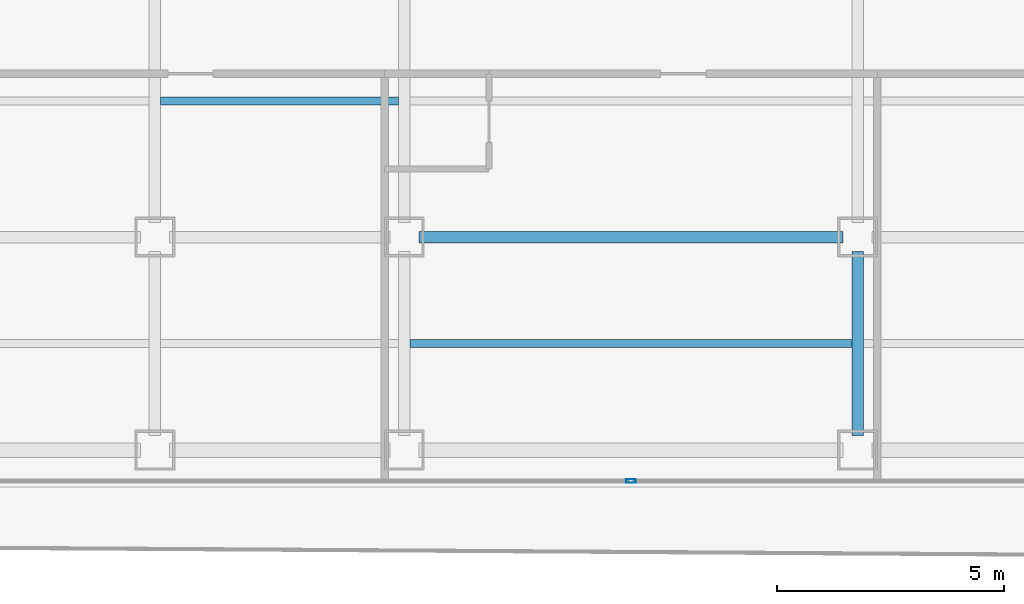
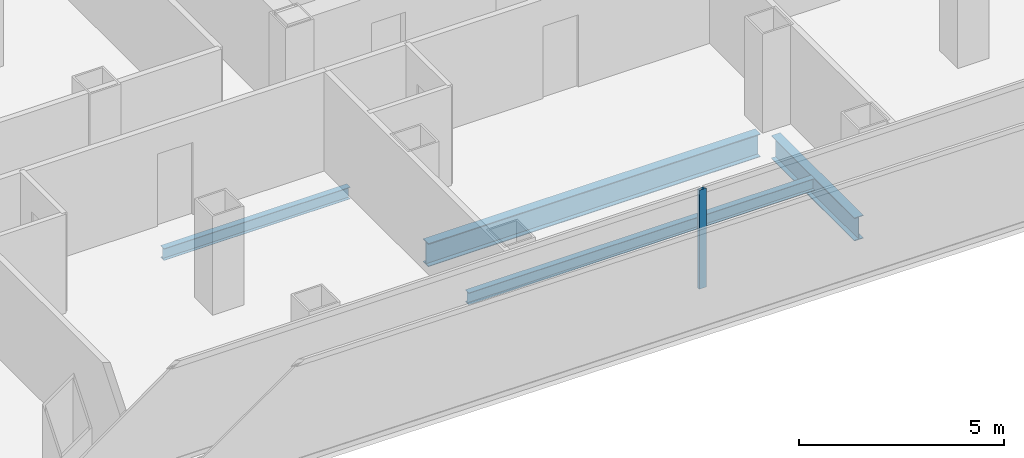
# One storey, part 4 of 21: 4 beams, 1 member, 1 element without a shape of its own.
"""IFC4 building model written with IfcOpenShell, lengths in metres."""

from ifc_helpers import new_model, si_unit, direction, frame, origin, origin_2d, place, context, subcontext, project, spatial, hollow_rectangle, i_section, extrude, source, transform, mapped, material, layer, layer_set, material_profile, profile_set, type_object, element, aggregate, save


model = new_model("IFC4")

# Units and contexts
model_context = context("Model", 3, precision=1e-05, world=origin(), true_north=direction((0.0, 1.0)))
body_context = subcontext(model_context, "Body", "Model", "MODEL_VIEW")
ifc_project = project(units=[si_unit("LENGTHUNIT", "METRE"), si_unit("AREAUNIT", "SQUARE_METRE"), si_unit("VOLUMEUNIT", "CUBIC_METRE"), si_unit("PLANEANGLEUNIT", "RADIAN"), si_unit("MASSUNIT", "GRAM", prefix="KILO")], contexts=[model_context])

# Site, building, storey
site_placement = place(None, origin())
site = spatial("IfcSite", under=ifc_project, at=site_placement, CompositionType="ELEMENT")
building_placement = place(site_placement, origin())
building = spatial("IfcBuilding", under=site, at=building_placement, Name="Kolveth Station Tower", CompositionType="ELEMENT")
storey_placement = place(building_placement, frame((0.0, 0.0, 121.5)))
storey = spatial("IfcBuildingStorey", under=building, at=storey_placement, Name="L33", CompositionType="ELEMENT", Elevation=121.5)

# Beams
ifc_material_1 = material(Name="Steel S355", Category="steel")
ifc_material_profile_1 = material_profile(ifc_material_1, i_section(OverallWidth=0.25390625, OverallDepth=0.68798828125, WebThickness=0.01318359375, FlangeThickness=0.02099609375, at=origin_2d()), Name="W690x152")
ifc_profile_set_1 = profile_set([ifc_material_profile_1], Name="Steel S355")
beam_type_1 = type_object("IfcBeamType", Name="Beam_B4", PredefinedType="BEAM", material=ifc_profile_set_1)
shared_shape_1 = source(origin(), body_context, "Body", "SweptSolid", [
    extrude(i_section(OverallWidth=0.25390625, OverallDepth=0.68798828125, WebThickness=0.01318359375, FlangeThickness=0.02099609375, at=origin_2d()), origin(), (0.0, 0.0, 1.0), 9.35986328125),
])
beam_1_placement = place(storey_placement, frame((18.820068359375, 5.5, -0.593994140625), z_axis=(1.0, 0.0, 0.0), x_axis=(0.0, 1.0, 0.0)))
element("IfcBeam", 1, at=beam_1_placement, inside=storey, type_object=beam_type_1, Name="L33 Primary Girder BM-L33-GY55-4", PredefinedType="BEAM", context=body_context, shape_type="MappedRepresentation", body=[
    mapped(shared_shape_1, transform((0.0, 0.0, 0.0), x_axis=(1.0, 0.0, 0.0), y_axis=(0.0, 1.0, 0.0), z_axis=(0.0, 0.0, 1.0), scale=1.0)),
])
shared_shape_2 = source(origin(), body_context, "Body", "SweptSolid", [
    extrude(i_section(OverallWidth=0.25390625, OverallDepth=0.68798828125, WebThickness=0.01318359375, FlangeThickness=0.02099609375, at=origin_2d()), origin(), (0.0, 0.0, 1.0), 4.059814453125),
])
beam_2_placement = place(storey_placement, frame((28.5, 1.1201171875, -0.593994140625), z_axis=(0.0, 1.0, 0.0), x_axis=(-1.0, 0.0, 0.0)))
element("IfcBeam", 2, at=beam_2_placement, inside=storey, type_object=beam_type_1, Name="L33 Primary Girder BM-L33-GX285-1", PredefinedType="BEAM", context=body_context, shape_type="MappedRepresentation", body=[
    mapped(shared_shape_2, transform((0.0, 0.0, 0.0), x_axis=(1.0, 0.0, 0.0), y_axis=(0.0, 1.0, 0.0), z_axis=(0.0, 0.0, 1.0), scale=1.0)),
])
ifc_material_profile_2 = material_profile(ifc_material_1, i_section(OverallWidth=0.1708984375, OverallDepth=0.35205078125, WebThickness=0.0068359375, FlangeThickness=0.009765625, at=origin_2d()), Name="W360x44")
ifc_profile_set_2 = profile_set([ifc_material_profile_2], Name="Steel S355")
beam_type_2 = type_object("IfcBeamType", Name="Beam_J2", PredefinedType="JOIST", material=ifc_profile_set_2)
shared_shape_3 = source(origin(), body_context, "Body", "SweptSolid", [
    extrude(i_section(OverallWidth=0.1708984375, OverallDepth=0.35205078125, WebThickness=0.0068359375, FlangeThickness=0.009765625, at=origin_2d()), origin(), (0.0, 0.0, 1.0), 5.25),
])
beam_3_placement = place(storey_placement, frame((13.125, 8.5, -0.426025390625), z_axis=(1.0, 0.0, 0.0), x_axis=(0.0, 1.0, 0.0)))
element("IfcBeam", 3, at=beam_3_placement, inside=storey, type_object=beam_type_2, Name="L33 Secondary Joist JST-L33-3-2", PredefinedType="JOIST", context=body_context, shape_type="MappedRepresentation", body=[
    mapped(shared_shape_3, transform((0.0, 0.0, 0.0), x_axis=(1.0, 0.0, 0.0), y_axis=(0.0, 1.0, 0.0), z_axis=(0.0, 0.0, 1.0), scale=1.0)),
])
shared_shape_4 = source(origin(), body_context, "Body", "SweptSolid", [
    extrude(i_section(OverallWidth=0.1708984375, OverallDepth=0.35205078125, WebThickness=0.0068359375, FlangeThickness=0.009765625, at=origin_2d()), origin(), (0.0, 0.0, 1.0), 9.75),
])
beam_4_placement = place(storey_placement, frame((18.625, 3.14990234375, -0.426025390625), z_axis=(1.0, 0.0, 0.0), x_axis=(0.0, 1.0, 0.0)))
element("IfcBeam", 4, at=beam_4_placement, inside=storey, type_object=beam_type_2, Name="L33 Secondary Joist JST-L33-4-1", PredefinedType="JOIST", context=body_context, shape_type="MappedRepresentation", body=[
    mapped(shared_shape_4, transform((0.0, 0.0, 0.0), x_axis=(1.0, 0.0, 0.0), y_axis=(0.0, 1.0, 0.0), z_axis=(0.0, 0.0, 1.0), scale=1.0)),
])

# Curtain wall, member
ifc_material_2 = material(Name="Aluminium 6063-T6 and low-E dark glass", Category="aluminium")
ifc_layer = layer(ifc_material_2, 0.18994140625)
ifc_layer_set = layer_set([ifc_layer], Name="Aluminium 6063-T6 and low-E dark glass")
curtain_wall_type = type_object("IfcCurtainWallType", Name="CurtainWall_CW-Z2", PredefinedType="NOTDEFINED", material=ifc_layer_set)
curtain_wall_placement = place(storey_placement, origin())
curtain_wall = element("IfcCurtainWall", 5, at=curtain_wall_placement, inside=storey, type_object=curtain_wall_type, Name="L33 Inner Thermal Curtain Wall 12", PredefinedType="NOTDEFINED")
ifc_material_3 = material(Name="Black anodized aluminium 6063-T6", Category="aluminium")
ifc_material_profile_3 = material_profile(ifc_material_3, hollow_rectangle(XDim=0.080078125, YDim=0.199951171875, WallThickness=0.0048828125, at=origin_2d()), Name="ALU-80x200x5")
ifc_profile_set_3 = profile_set([ifc_material_profile_3], Name="Black anodized aluminium 6063-T6")
member_type = type_object("IfcMemberType", Name="Mullion_ML2", PredefinedType="MULLION", material=ifc_profile_set_3)
shared_shape_5 = source(origin(), body_context, "Body", "SweptSolid", [
    extrude(hollow_rectangle(XDim=0.080078125, YDim=0.199951171875, WallThickness=0.0048828125, at=origin_2d()), origin(), (0.0, 0.0, 1.0), 2.949951171875),
])
member_placement = place(storey_placement, frame((23.5, 0.1201171875, 0.0), z_axis=(0.0, 0.0, 1.0), x_axis=(0.0, 1.0, 0.0)))
member = element("IfcMember", 6, at=member_placement, type_object=member_type, Name="CW-Z2 mullion 2", PredefinedType="MULLION", context=body_context, shape_type="MappedRepresentation", body=[
    mapped(shared_shape_5, transform((0.0, 0.0, 0.0), x_axis=(1.0, 0.0, 0.0), y_axis=(0.0, 1.0, 0.0), z_axis=(0.0, 0.0, 1.0), scale=1.0)),
])
aggregate(curtain_wall, [member])

save(model, "model.ifc")
